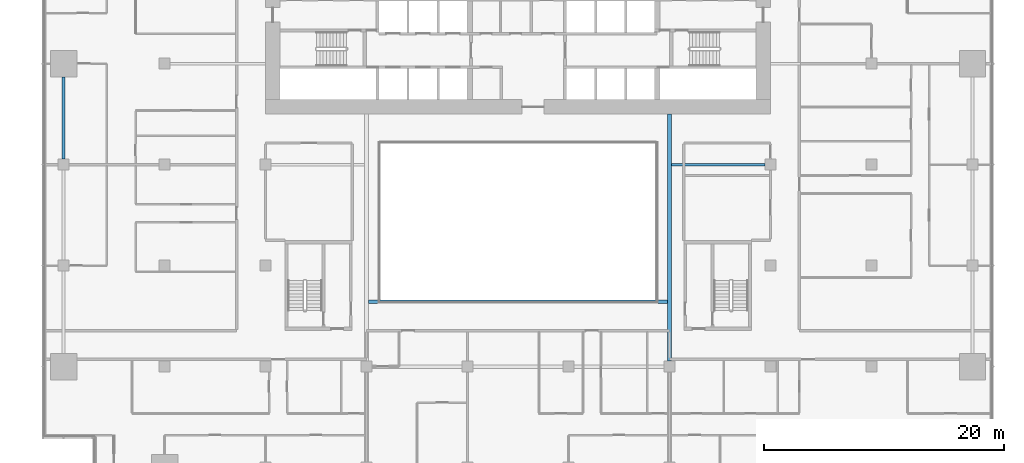
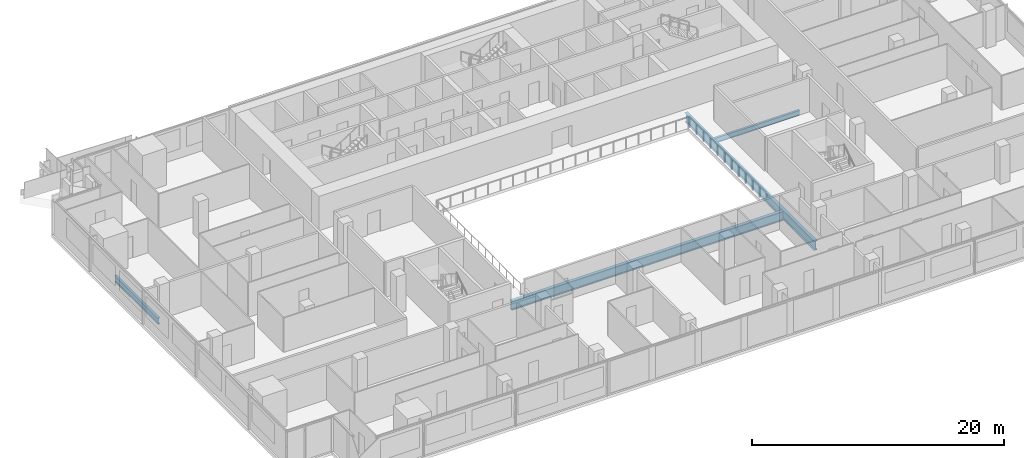
# One storey, part 9 of 30: 4 beams.
"""IFC4 building model written with IfcOpenShell, lengths in metres."""

from ifc_helpers import new_model, si_unit, direction, frame, origin, origin_2d, place, context, subcontext, project, spatial, i_section, extrude, material, material_profile, profile_set, type_object, element, save


model = new_model("IFC4")

# Units and contexts
model_context = context("Model", 3, precision=1e-05, world=origin(), true_north=direction((0.0, 1.0)))
body_context = subcontext(model_context, "Body", "Model", "MODEL_VIEW")
ifc_project = project(units=[si_unit("LENGTHUNIT", "METRE"), si_unit("AREAUNIT", "SQUARE_METRE"), si_unit("VOLUMEUNIT", "CUBIC_METRE"), si_unit("PLANEANGLEUNIT", "RADIAN"), si_unit("MASSUNIT", "GRAM", prefix="KILO")], contexts=[model_context])

# Site, building, storey
site_placement = place(None, origin())
site = spatial("IfcSite", under=ifc_project, at=site_placement, CompositionType="ELEMENT")
building_placement = place(site_placement, origin())
building = spatial("IfcBuilding", under=site, at=building_placement, Name="Saffron Gate Tower", CompositionType="ELEMENT")
storey_placement = place(building_placement, frame((0.0, 0.0, 69.60009765625)))
storey = spatial("IfcBuildingStorey", under=building, at=storey_placement, Name="L16", CompositionType="ELEMENT", Elevation=69.60009765625)

# Beams
ifc_material = material(Name="Structural steel S355", Category="steel")
ifc_material_profile_1 = material_profile(ifc_material, i_section(OverallWidth=0.199951171875, OverallDepth=0.5, WebThickness=0.01025390625, FlangeThickness=0.01611328125, FilletRadius=0.02099609375, at=origin_2d()))
ifc_profile_set_1 = profile_set([ifc_material_profile_1], Name="Structural steel S355")
beam_type_1 = type_object("IfcBeamType", Name="B10 IPE 500", PredefinedType="BEAM", material=ifc_profile_set_1)
beam_1_placement = place(storey_placement, frame((108.14990234375, 57.0, -0.530029296875), z_axis=(-1.0, 0.0, 0.0), x_axis=(0.0, -1.0, 0.0)))
element("IfcBeam", 1, at=beam_1_placement, inside=storey, type_object=beam_type_1, Name="B10 CORE TIE BEAM", PredefinedType="BEAM", context=body_context, shape_type="SweptSolid", body=[
    extrude(i_section(OverallWidth=0.199951171875, OverallDepth=0.5, WebThickness=0.01025390625, FlangeThickness=0.01611328125, FilletRadius=0.02099609375, at=origin_2d()), origin(), (0.0, 0.0, 1.0), 7.7998046875),
])
ifc_material_profile_2 = material_profile(ifc_material, i_section(OverallWidth=0.219970703125, OverallDepth=0.60009765625, WebThickness=0.011962890625, FlangeThickness=0.01904296875, FilletRadius=0.02392578125, at=origin_2d()))
ifc_profile_set_2 = profile_set([ifc_material_profile_2], Name="Structural steel S355")
beam_type_2 = type_object("IfcBeamType", Name="B16 IPE 600", PredefinedType="SPANDREL", material=ifc_profile_set_2)
beam_2_placement = place(storey_placement, frame((49.800048828125, 57.449951171875, -0.580078125), z_axis=(0.0, 1.0, 0.0), x_axis=(-1.0, 0.0, 0.0)))
element("IfcBeam", 2, at=beam_2_placement, inside=storey, type_object=beam_type_2, Name="B16 SPANDREL BEAM", PredefinedType="SPANDREL", context=body_context, shape_type="SweptSolid", body=[
    extrude(i_section(OverallWidth=0.219970703125, OverallDepth=0.60009765625, WebThickness=0.011962890625, FlangeThickness=0.01904296875, FilletRadius=0.02392578125, at=origin_2d()), origin(), (0.0, 0.0, 1.0), 6.85009765625),
])
ifc_material_profile_3 = material_profile(ifc_material, i_section(OverallWidth=0.300048828125, OverallDepth=0.889892578125, WebThickness=0.01611328125, FlangeThickness=0.030029296875, FilletRadius=0.030029296875, at=origin_2d()))
ifc_profile_set_3 = profile_set([ifc_material_profile_3], Name="Structural steel S355")
beam_type_3 = type_object("IfcBeamType", Name="B19 HEA 900", PredefinedType="BEAM", material=ifc_profile_set_3)
beam_3_placement = place(storey_placement, frame((100.199951171875, 40.64990234375, -0.72509765625), z_axis=(0.0, 1.0, 0.0), x_axis=(-1.0, 0.0, 0.0)))
element("IfcBeam", 3, at=beam_3_placement, inside=storey, type_object=beam_type_3, Name="B19 ATRIUM GIRDER", PredefinedType="BEAM", context=body_context, shape_type="SweptSolid", body=[
    extrude(i_section(OverallWidth=0.300048828125, OverallDepth=0.889892578125, WebThickness=0.01611328125, FlangeThickness=0.030029296875, FilletRadius=0.030029296875, at=origin_2d()), origin(), (0.0, 0.0, 1.0), 20.550048828125),
])
beam_4_placement = place(storey_placement, frame((75.14990234375, 45.60009765625, -0.72509765625), z_axis=(1.0, 0.0, 0.0), x_axis=(0.0, 1.0, 0.0)))
element("IfcBeam", 4, at=beam_4_placement, inside=storey, type_object=beam_type_3, Name="B19 ATRIUM GIRDER", PredefinedType="BEAM", context=body_context, shape_type="SweptSolid", body=[
    extrude(i_section(OverallWidth=0.300048828125, OverallDepth=0.889892578125, WebThickness=0.01611328125, FlangeThickness=0.030029296875, FilletRadius=0.030029296875, at=origin_2d()), origin(), (0.0, 0.0, 1.0), 24.900146484375),
])

save(model, "model.ifc")
